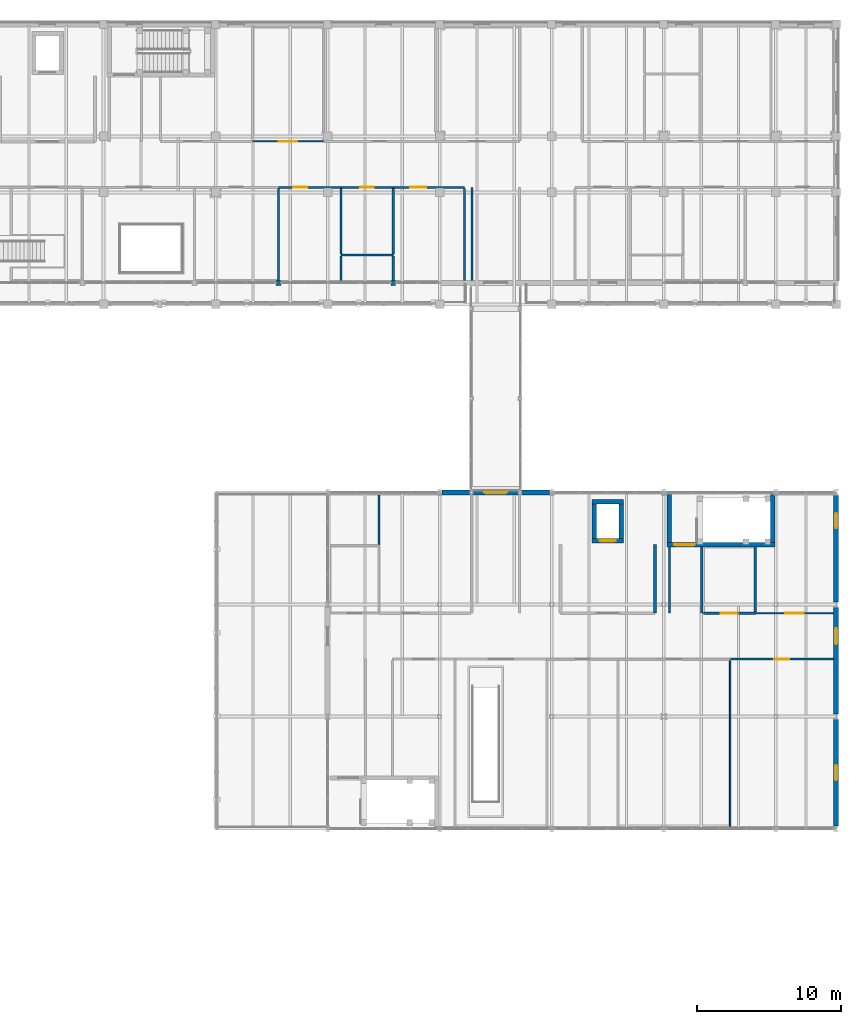
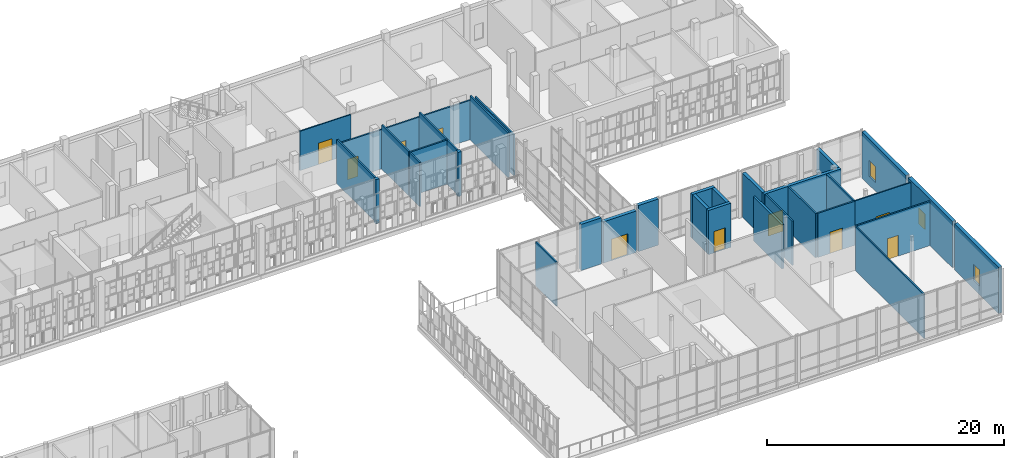
# One storey, part 112 of 138: 36 walls, 10 doors, 3 windows, 13 openings.
"""IFC4 building model written with IfcOpenShell, lengths in metres."""

from ifc_helpers import new_model, si_unit, direction, frame, frame_2d, origin, place, context, subcontext, project, spatial, rectangle, extrude, material, layer, layer_set, type_object, element, fill, save


model = new_model("IFC4")

# Units and contexts
model_context = context("Model", 3, precision=1e-05, world=origin(), true_north=direction((0.0, 1.0)))
body_context = subcontext(model_context, "Body", "Model", "MODEL_VIEW")
ifc_project = project(units=[si_unit("LENGTHUNIT", "METRE"), si_unit("AREAUNIT", "SQUARE_METRE"), si_unit("VOLUMEUNIT", "CUBIC_METRE"), si_unit("PLANEANGLEUNIT", "RADIAN"), si_unit("MASSUNIT", "GRAM", prefix="KILO")], contexts=[model_context])

# Site, building, storey
site_placement = place(None, origin())
site = spatial("IfcSite", under=ifc_project, at=site_placement, CompositionType="ELEMENT")
building_placement = place(site_placement, origin())
building = spatial("IfcBuilding", under=site, at=building_placement, Name="Celorna Specialist Clinic", CompositionType="ELEMENT")
storey_placement = place(building_placement, frame((0.0, 0.0, 4.800048828125)))
storey = spatial("IfcBuildingStorey", under=building, at=storey_placement, Name="L01", CompositionType="ELEMENT", Elevation=4.800048828125)

# Wall
ifc_material_1 = material(Name="Pero Pinheiro Lioz limestone insulated masonry", Category="masonry")
ifc_layer_1 = layer(ifc_material_1, 0.340087890625, Name="Pero Pinheiro Lioz limestone insulated masonry")
ifc_layer_set_1 = layer_set([ifc_layer_1], Name="Pero Pinheiro Lioz limestone insulated masonry")
wall_type_1 = type_object("IfcWallType", Name="WT-07", PredefinedType="STANDARD", material=ifc_layer_set_1)
wall_1_placement = place(storey_placement, frame((140.550048828125, 83.39990234375, 0.0), z_axis=(0.0, 0.0, 1.0), x_axis=(1.0, 0.0, 0.0)))
element("IfcWall", 1, at=wall_1_placement, inside=storey, type_object=wall_type_1, Name="External facade wall WT-07 #150", PredefinedType="STANDARD", context=body_context, shape_type="SweptSolid", body=[
    extrude(rectangle(XDim=1.949951171875, YDim=0.340087890625, at=frame_2d((0.97509765625, 0.0))), origin(), (0.0, 0.0, 1.0), 4.75),
])

# Wall, opening, door
wall_2_placement = place(storey_placement, frame((142.699951171875, 83.39990234375, 0.0), z_axis=(0.0, 0.0, 1.0), x_axis=(1.0, 0.0, 0.0)))
wall_2 = element("IfcWall", 2, at=wall_2_placement, inside=storey, type_object=wall_type_1, Name="External facade wall WT-07 #151", PredefinedType="STANDARD", context=body_context, shape_type="SweptSolid", body=[
    extrude(rectangle(XDim=3.199951171875, YDim=0.340087890625, at=frame_2d((1.60009765625, 0.0))), origin(), (0.0, 0.0, 1.0), 4.260009765625),
])
opening_1_placement = place(wall_2_placement, frame((0.800048828125, 0.0, 0.0)))
opening_1 = element("IfcOpeningElement", 3, at=opening_1_placement, cuts=wall_2, Name="Opening DR-12", PredefinedType="OPENING", context=body_context, shape_type="SweptSolid", body=[
    extrude(rectangle(XDim=1.60009765625, YDim=2.199951171875, at=frame_2d((0.800048828125, 1.10009765625))), frame((0.0, 0.179931640625, 0.0), z_axis=(0.0, -1.0, 0.0), x_axis=(1.0, 0.0, 0.0)), (0.0, 0.0, 1.0), 0.360107421875),
])
ifc_material_2 = material(Name="Corridor cross-compartment pair door")
door_type_1 = type_object("IfcDoorType", Name="DR-12", OperationType="DOUBLE_DOOR_SINGLE_SWING", PredefinedType="DOOR", material=ifc_material_2)
door_1_placement = place(opening_1_placement, origin())
door_1 = element("IfcDoor", 4, at=door_1_placement, inside=storey, type_object=door_type_1, Name="Bridge BR-05 south/west portal door L01", OperationType="DOUBLE_DOOR_SINGLE_SWING", OverallHeight=2.199951171875, OverallWidth=1.60009765625, PredefinedType="DOOR", context=body_context, shape_type="SweptSolid", body=[
    extrude(rectangle(XDim=1.60009765625, YDim=2.199951171875, at=frame_2d((0.800048828125, 1.10009765625))), frame((0.0, 0.02490234375, 0.0), z_axis=(0.0, -1.0, 0.0), x_axis=(1.0, 0.0, 0.0)), (0.0, 0.0, 1.0), 0.050048828125),
])
fill(opening_1, door_1)

# Wall
wall_3_placement = place(storey_placement, frame((146.10009765625, 83.39990234375, 0.0), z_axis=(0.0, 0.0, 1.0), x_axis=(1.0, 0.0, 0.0)))
element("IfcWall", 5, at=wall_3_placement, inside=storey, type_object=wall_type_1, Name="External facade wall WT-07 #152", PredefinedType="STANDARD", context=body_context, shape_type="SweptSolid", body=[
    extrude(rectangle(XDim=1.949951171875, YDim=0.340087890625, at=frame_2d((0.97509765625, 0.0))), origin(), (0.0, 0.0, 1.0), 4.75),
])

# Wall, opening, window
wall_4_placement = place(storey_placement, frame((168.0, 67.6201171875, 0.0), z_axis=(0.0, 0.0, 1.0), x_axis=(0.0, -1.0, 0.0)))
wall_4 = element("IfcWall", 6, at=wall_4_placement, inside=storey, type_object=wall_type_1, Name="External facade wall WT-07 #154", PredefinedType="STANDARD", context=body_context, shape_type="SweptSolid", body=[
    extrude(rectangle(XDim=7.440185546875, YDim=0.340087890625, at=frame_2d((3.72021484375, 0.0))), origin(), (0.0, 0.0, 1.0), 4.75),
])
opening_2_placement = place(wall_4_placement, frame((3.195068359375, 0.0, 0.89990234375)))
opening_2 = element("IfcOpeningElement", 7, at=opening_2_placement, cuts=wall_4, Name="Opening WN-21", PredefinedType="OPENING", context=body_context, shape_type="SweptSolid", body=[
    extrude(rectangle(XDim=1.050048828125, YDim=1.64990234375, at=frame_2d((0.52490234375, 0.824951171875))), frame((0.0, 0.179931640625, 0.0), z_axis=(0.0, -1.0, 0.0), x_axis=(1.0, 0.0, 0.0)), (0.0, 0.0, 1.0), 0.360107421875),
])
ifc_material_3 = material(Name="Thermally broken aluminium triple-glazed window", Category="aluminium")
window_type_1 = type_object("IfcWindowType", Name="WN-21", PartitioningType="SINGLE_PANEL", PredefinedType="WINDOW", material=ifc_material_3)
window_1_placement = place(opening_2_placement, origin())
window_1 = element("IfcWindow", 8, at=window_1_placement, inside=storey, type_object=window_type_1, Name="Facade window WN-21 #54", OverallHeight=1.64990234375, OverallWidth=1.050048828125, PartitioningType="SINGLE_PANEL", PredefinedType="WINDOW", context=body_context, shape_type="SweptSolid", body=[
    extrude(rectangle(XDim=1.050048828125, YDim=1.64990234375, at=frame_2d((0.52490234375, 0.824951171875))), frame((0.0, 0.030029296875, 0.0), z_axis=(0.0, -1.0, 0.0), x_axis=(1.0, 0.0, 0.0)), (0.0, 0.0, 1.0), 0.06005859375),
])
fill(opening_2, window_1)

wall_5_placement = place(storey_placement, frame((168.0, 75.419921875, 0.0), z_axis=(0.0, 0.0, 1.0), x_axis=(0.0, -1.0, 0.0)))
wall_5 = element("IfcWall", 9, at=wall_5_placement, inside=storey, type_object=wall_type_1, Name="External facade wall WT-07 #155", PredefinedType="STANDARD", context=body_context, shape_type="SweptSolid", body=[
    extrude(rectangle(XDim=7.43994140625, YDim=0.340087890625, at=frame_2d((3.719970703125, 0.0))), origin(), (0.0, 0.0, 1.0), 4.75),
])
opening_3_placement = place(wall_5_placement, frame((1.469970703125, 0.0, 0.89990234375)))
opening_3 = element("IfcOpeningElement", 10, at=opening_3_placement, cuts=wall_5, Name="Opening WN-03", PredefinedType="OPENING", context=body_context, shape_type="SweptSolid", body=[
    extrude(rectangle(XDim=1.10009765625, YDim=1.60009765625, at=frame_2d((0.550048828125, 0.800048828125))), frame((0.0, 0.179931640625, 0.0), z_axis=(0.0, -1.0, 0.0), x_axis=(1.0, 0.0, 0.0)), (0.0, 0.0, 1.0), 0.360107421875),
])
window_type_2 = type_object("IfcWindowType", Name="WN-03", PartitioningType="SINGLE_PANEL", PredefinedType="WINDOW", material=ifc_material_3)
window_2_placement = place(opening_3_placement, origin())
window_2 = element("IfcWindow", 11, at=window_2_placement, inside=storey, type_object=window_type_2, Name="Facade window WN-03 #55", OverallHeight=1.60009765625, OverallWidth=1.10009765625, PartitioningType="SINGLE_PANEL", PredefinedType="WINDOW", context=body_context, shape_type="SweptSolid", body=[
    extrude(rectangle(XDim=1.10009765625, YDim=1.60009765625, at=frame_2d((0.550048828125, 0.800048828125))), frame((0.0, 0.030029296875, 0.0), z_axis=(0.0, -1.0, 0.0), x_axis=(1.0, 0.0, 0.0)), (0.0, 0.0, 1.0), 0.06005859375),
])
fill(opening_3, window_2)

wall_6_placement = place(storey_placement, frame((168.0, 83.219970703125, 0.0), z_axis=(0.0, 0.0, 1.0), x_axis=(0.0, -1.0, 0.0)))
wall_6 = element("IfcWall", 12, at=wall_6_placement, inside=storey, type_object=wall_type_1, Name="External facade wall WT-07 #156", PredefinedType="STANDARD", context=body_context, shape_type="SweptSolid", body=[
    extrude(rectangle(XDim=7.43994140625, YDim=0.340087890625, at=frame_2d((3.719970703125, 0.0))), origin(), (0.0, 0.0, 1.0), 4.75),
])
opening_4_placement = place(wall_6_placement, frame((1.2451171875, 0.0, 0.89990234375)))
opening_4 = element("IfcOpeningElement", 13, at=opening_4_placement, cuts=wall_6, Name="Opening WN-21", PredefinedType="OPENING", context=body_context, shape_type="SweptSolid", body=[
    extrude(rectangle(XDim=1.050048828125, YDim=1.64990234375, at=frame_2d((0.52490234375, 0.824951171875))), frame((0.0, 0.179931640625, 0.0), z_axis=(0.0, -1.0, 0.0), x_axis=(1.0, 0.0, 0.0)), (0.0, 0.0, 1.0), 0.360107421875),
])
window_3_placement = place(opening_4_placement, origin())
window_3 = element("IfcWindow", 14, at=window_3_placement, inside=storey, type_object=window_type_1, Name="Facade window WN-21 #56", OverallHeight=1.64990234375, OverallWidth=1.050048828125, PartitioningType="SINGLE_PANEL", PredefinedType="WINDOW", context=body_context, shape_type="SweptSolid", body=[
    extrude(rectangle(XDim=1.050048828125, YDim=1.64990234375, at=frame_2d((0.52490234375, 0.824951171875))), frame((0.0, 0.030029296875, 0.0), z_axis=(0.0, -1.0, 0.0), x_axis=(1.0, 0.0, 0.0)), (0.0, 0.0, 1.0), 0.06005859375),
])
fill(opening_4, window_3)

# Walls
for number, where, z_axis, x_axis, name in (
    (15, (129.340087890625, 98.0, 0.0), (0.0, 0.0, 1.0), (-1.0, 0.0, 0.0), "External facade wall WT-07 #196"),
    (16, (137.340087890625, 98.0, 0.0), (0.0, 0.0, 1.0), (-1.0, 0.0, 0.0), "External facade wall WT-07 #197"),
):
    element("IfcWall", number, at=place(storey_placement, frame(where, z_axis=z_axis, x_axis=x_axis)), inside=storey, type_object=wall_type_1, Name=name, PredefinedType="STANDARD", context=body_context, shape_type="SweptSolid", body=[
        extrude(rectangle(XDim=0.340087890625, YDim=0.340087890625, at=frame_2d((0.169921875, 0.0))), origin(), (0.0, 0.0, 1.0), 4.5400390625),
    ])

# Wall, opening, door
ifc_material_4 = material(Name="Concrete C35/45", Category="concrete")
ifc_layer_2 = layer(ifc_material_4, 0.300048828125, Name="Concrete C35/45")
ifc_layer_set_2 = layer_set([ifc_layer_2], Name="Concrete C35/45")
wall_type_2 = type_object("IfcWallType", Name="WT-08", PredefinedType="SHEAR", material=ifc_layer_set_2)
wall_7_placement = place(storey_placement, frame((156.239990234375, 79.77001953125, 0.0), z_axis=(0.0, 0.0, 1.0), x_axis=(1.0, 0.0, 0.0)))
wall_7 = element("IfcWall", 17, at=wall_7_placement, inside=storey, type_object=wall_type_2, Name="Stair ST-12 RC core wall L01 south", PredefinedType="SHEAR", context=body_context, shape_type="SweptSolid", body=[
    extrude(rectangle(XDim=7.5, YDim=0.300048828125, at=frame_2d((3.75, 0.0))), origin(), (0.0, 0.0, 1.0), 4.5400390625),
])
opening_5_placement = place(wall_7_placement, frame((0.5, 0.0, 0.0)))
opening_5 = element("IfcOpeningElement", 18, at=opening_5_placement, cuts=wall_7, Name="Opening DR-10", PredefinedType="OPENING", context=body_context, shape_type="SweptSolid", body=[
    extrude(rectangle(XDim=1.39990234375, YDim=2.199951171875, at=frame_2d((0.699951171875, 1.10009765625))), frame((0.0, 0.159912109375, 0.0), z_axis=(0.0, -1.0, 0.0), x_axis=(1.0, 0.0, 0.0)), (0.0, 0.0, 1.0), 0.320068359375),
])
ifc_material_5 = material(Name="Protected exit stair fire door")
door_type_2 = type_object("IfcDoorType", Name="DR-10", OperationType="NOTDEFINED", PredefinedType="DOOR", material=ifc_material_5)
door_2_placement = place(opening_5_placement, origin())
door_2 = element("IfcDoor", 19, at=door_2_placement, inside=storey, type_object=door_type_2, Name="Protected exit stair door ST-12 L01", OperationType="SINGLE_SWING_LEFT", OverallHeight=2.199951171875, OverallWidth=1.39990234375, PredefinedType="DOOR", context=body_context, shape_type="SweptSolid", body=[
    extrude(rectangle(XDim=1.39990234375, YDim=2.199951171875, at=frame_2d((0.699951171875, 1.10009765625))), frame((0.0, 0.02490234375, 0.0), z_axis=(0.0, -1.0, 0.0), x_axis=(1.0, 0.0, 0.0)), (0.0, 0.0, 1.0), 0.050048828125),
])
fill(opening_5, door_2)

# Walls
for number, where, z_axis, x_axis, name in (
    (20, (156.389892578125, 83.25, 0.0), (0.0, 0.0, 1.0), (0.0, -1.0, 0.0), "Stair ST-12 RC core wall L01 west"),
    (21, (163.590087890625, 79.919921875, 0.0), (0.0, 0.0, 1.0), (0.0, 1.0, 0.0), "Stair ST-12 RC core wall L01 east"),
):
    element("IfcWall", number, at=place(storey_placement, frame(where, z_axis=z_axis, x_axis=x_axis)), inside=storey, type_object=wall_type_2, Name=name, PredefinedType="SHEAR", context=body_context, shape_type="SweptSolid", body=[
        extrude(rectangle(XDim=3.330078125, YDim=0.300048828125, at=frame_2d((1.6650390625, 0.0))), origin(), (0.0, 0.0, 1.0), 4.5400390625),
    ])

# Wall, opening, door
wall_8_placement = place(storey_placement, frame((151.0, 80.050048828125, 0.0), z_axis=(0.0, 0.0, 1.0), x_axis=(1.0, 0.0, 0.0)))
wall_8 = element("IfcWall", 22, at=wall_8_placement, inside=storey, type_object=wall_type_2, Name="Lift LF-09 RC shaft wall L01", PredefinedType="SHEAR", context=body_context, shape_type="SweptSolid", body=[
    extrude(rectangle(XDim=2.199951171875, YDim=0.300048828125, at=frame_2d((1.10009765625, 0.0))), origin(), (0.0, 0.0, 1.0), 4.5400390625),
])
opening_6_placement = place(wall_8_placement, frame((0.550048828125, 0.0, 0.0)))
opening_6 = element("IfcOpeningElement", 23, at=opening_6_placement, cuts=wall_8, Name="Opening LD-01", PredefinedType="OPENING", context=body_context, shape_type="SweptSolid", body=[
    extrude(rectangle(XDim=1.10009765625, YDim=2.199951171875, at=frame_2d((0.550048828125, 1.10009765625))), frame((0.0, 0.159912109375, 0.0), z_axis=(0.0, -1.0, 0.0), x_axis=(1.0, 0.0, 0.0)), (0.0, 0.0, 1.0), 0.320068359375),
])
ifc_material_6 = material(Name="Stainless steel lift landing sliding door", Category="steel")
door_type_3 = type_object("IfcDoorType", Name="LD-01", OperationType="DOUBLE_DOOR_SLIDING", PredefinedType="DOOR", material=ifc_material_6)
door_3_placement = place(opening_6_placement, origin())
door_3 = element("IfcDoor", 24, at=door_3_placement, inside=storey, type_object=door_type_3, Name="Lift LF-09 sliding landing door L01", OperationType="DOUBLE_DOOR_SLIDING", OverallHeight=2.199951171875, OverallWidth=1.10009765625, PredefinedType="DOOR", context=body_context, shape_type="SweptSolid", body=[
    extrude(rectangle(XDim=1.10009765625, YDim=2.199951171875, at=frame_2d((0.550048828125, 1.10009765625))), frame((0.0, 0.02490234375, 0.0), z_axis=(0.0, -1.0, 0.0), x_axis=(1.0, 0.0, 0.0)), (0.0, 0.0, 1.0), 0.050048828125),
])
fill(opening_6, door_3)

# Walls
wall_9_placement = place(storey_placement, frame((153.199951171875, 82.75, 0.0), z_axis=(0.0, 0.0, 1.0), x_axis=(-1.0, 0.0, 0.0)))
element("IfcWall", 25, at=wall_9_placement, inside=storey, type_object=wall_type_2, Name="Lift LF-09 RC shaft wall L01", PredefinedType="SHEAR", context=body_context, shape_type="SweptSolid", body=[
    extrude(rectangle(XDim=2.199951171875, YDim=0.300048828125, at=frame_2d((1.10009765625, 0.0))), origin(), (0.0, 0.0, 1.0), 4.5400390625),
])
for number, where, z_axis, x_axis, name in (
    (26, (151.14990234375, 82.60009765625, 0.0), (0.0, 0.0, 1.0), (0.0, -1.0, 0.0), "Lift LF-09 RC shaft wall L01"),
    (27, (153.050048828125, 80.199951171875, 0.0), (0.0, 0.0, 1.0), (0.0, 1.0, 0.0), "Lift LF-09 RC shaft wall L01"),
):
    element("IfcWall", number, at=place(storey_placement, frame(where, z_axis=z_axis, x_axis=x_axis)), inside=storey, type_object=wall_type_2, Name=name, PredefinedType="SHEAR", context=body_context, shape_type="SweptSolid", body=[
        extrude(rectangle(XDim=2.400146484375, YDim=0.300048828125, at=frame_2d((1.2001953125, 0.0))), origin(), (0.0, 0.0, 1.0), 4.5400390625),
    ])
ifc_layer_3 = layer(ifc_material_4, 0.199951171875, Name="Concrete C35/45")
ifc_layer_set_3 = layer_set([ifc_layer_3], Name="Concrete C35/45")
wall_type_3 = type_object("IfcWallType", Name="WT-12", PredefinedType="SOLIDWALL", material=ifc_layer_set_3)
wall_10_placement = place(storey_placement, frame((155.39990234375, 75.0, 0.0), z_axis=(0.0, 0.0, 1.0), x_axis=(0.0, 1.0, 0.0)))
element("IfcWall", 28, at=wall_10_placement, inside=storey, type_object=wall_type_3, Name="Lift lobby wall LF-09 L01", PredefinedType="SOLIDWALL", context=body_context, shape_type="SweptSolid", body=[
    extrude(rectangle(XDim=4.800048828125, YDim=0.199951171875, at=frame_2d((2.39990234375, 0.0))), origin(), (0.0, 0.0, 1.0), 4.5400390625),
])
ifc_material_7 = material(Name="Fire-rated gypsum board partition")
ifc_layer_4 = layer(ifc_material_7, 0.14990234375, Name="Fire-rated gypsum board partition")
ifc_layer_set_4 = layer_set([ifc_layer_4], Name="Fire-rated gypsum board partition")
wall_type_4 = type_object("IfcWallType", Name="WT-14", PredefinedType="PARTITIONING", material=ifc_layer_set_4)
for number, where, z_axis, x_axis, name in (
    (29, (156.389892578125, 75.0, 0.0), (0.0, 0.0, 1.0), (0.0, 1.0, 0.0), "Corridor spur partition WT-14"),
    (30, (158.639892578125, 75.0, 0.0), (0.0, 0.0, 1.0), (0.0, 1.0, 0.0), "Corridor spur partition WT-14"),
):
    element("IfcWall", number, at=place(storey_placement, frame(where, z_axis=z_axis, x_axis=x_axis)), inside=storey, type_object=wall_type_4, Name=name, PredefinedType="PARTITIONING", context=body_context, shape_type="SweptSolid", body=[
        extrude(rectangle(XDim=4.6201171875, YDim=0.14990234375, at=frame_2d((2.31005859375, 0.0))), origin(), (0.0, 0.0, 1.0), 4.5400390625),
    ])
wall_11_placement = place(storey_placement, frame((142.64990234375, 98.169921875, 0.0), z_axis=(0.0, 0.0, 1.0), x_axis=(0.0, 1.0, 0.0)))
element("IfcWall", 31, at=wall_11_placement, inside=storey, type_object=wall_type_4, Name="Corridor spur partition WT-14", PredefinedType="PARTITIONING", context=body_context, shape_type="SweptSolid", body=[
    extrude(rectangle(XDim=6.47998046875, YDim=0.14990234375, at=frame_2d((3.239990234375, 0.0))), origin(), (0.0, 0.0, 1.0), 4.2099609375),
])

# Wall, opening, door
wall_12_placement = place(storey_placement, frame((167.830078125, 71.800048828125, 0.0), z_axis=(0.0, 0.0, 1.0), x_axis=(-1.0, 0.0, 0.0)))
wall_12 = element("IfcWall", 32, at=wall_12_placement, inside=storey, type_object=wall_type_4, Name="Interior partition WT-14 L01-043", PredefinedType="PARTITIONING", context=body_context, shape_type="SweptSolid", body=[
    extrude(rectangle(XDim=7.2099609375, YDim=0.14990234375, at=frame_2d((3.60498046875, 0.0))), origin(), (0.0, 0.0, 1.0), 4.5400390625),
])
opening_7_placement = place(wall_12_placement, frame((3.080078125, 0.0, 0.0)))
opening_7 = element("IfcOpeningElement", 33, at=opening_7_placement, cuts=wall_12, Name="Opening DR-05", PredefinedType="OPENING", context=body_context, shape_type="SweptSolid", body=[
    extrude(rectangle(XDim=1.050048828125, YDim=2.14990234375, at=frame_2d((0.52490234375, 1.074951171875))), frame((0.0, 0.0849609375, 0.0), z_axis=(0.0, -1.0, 0.0), x_axis=(1.0, 0.0, 0.0)), (0.0, 0.0, 1.0), 0.169921875),
])
ifc_material_8 = material(Name="Timber examination room door", Category="wood")
door_type_4 = type_object("IfcDoorType", Name="DR-05", OperationType="NOTDEFINED", PredefinedType="DOOR", material=ifc_material_8)
door_4_placement = place(opening_7_placement, origin())
door_4 = element("IfcDoor", 34, at=door_4_placement, inside=storey, type_object=door_type_4, Name="Occupational Therapy Studio door L01-043", OperationType="SINGLE_SWING_RIGHT", OverallHeight=2.14990234375, OverallWidth=1.050048828125, PredefinedType="DOOR", context=body_context, shape_type="SweptSolid", body=[
    extrude(rectangle(XDim=1.050048828125, YDim=2.14990234375, at=frame_2d((0.52490234375, 1.074951171875))), frame((0.0, 0.02490234375, 0.0), z_axis=(0.0, -1.0, 0.0), x_axis=(1.0, 0.0, 0.0)), (0.0, 0.0, 1.0), 0.050048828125),
])
fill(opening_7, door_4)

wall_13_placement = place(storey_placement, frame((158.760009765625, 75.0, 0.0), z_axis=(0.0, 0.0, 1.0), x_axis=(1.0, 0.0, 0.0)))
wall_13 = element("IfcWall", 35, at=wall_13_placement, inside=storey, type_object=wall_type_4, Name="Interior partition WT-14 L01-046", PredefinedType="PARTITIONING", context=body_context, shape_type="SweptSolid", body=[
    extrude(rectangle(XDim=3.610107421875, YDim=0.14990234375, at=frame_2d((1.80517578125, 0.0))), origin(), (0.0, 0.0, 1.0), 4.5400390625),
])
opening_8_placement = place(wall_13_placement, frame((1.205078125, 0.0, 0.0)))
opening_8 = element("IfcOpeningElement", 36, at=opening_8_placement, cuts=wall_13, Name="Opening DR-08", PredefinedType="OPENING", context=body_context, shape_type="SweptSolid", body=[
    extrude(rectangle(XDim=1.199951171875, YDim=2.199951171875, at=frame_2d((0.60009765625, 1.10009765625))), frame((0.0, 0.0849609375, 0.0), z_axis=(0.0, -1.0, 0.0), x_axis=(1.0, 0.0, 0.0)), (0.0, 0.0, 1.0), 0.169921875),
])
ifc_material_9 = material(Name="Stretcher-width clinical door")
door_type_5 = type_object("IfcDoorType", Name="DR-08", OperationType="NOTDEFINED", PredefinedType="DOOR", material=ifc_material_9)
door_5_placement = place(opening_8_placement, origin())
door_5 = element("IfcDoor", 37, at=door_5_placement, inside=storey, type_object=door_type_5, Name="Physiotherapy Treatment Room door L01-046", OperationType="SINGLE_SWING_LEFT", OverallHeight=2.199951171875, OverallWidth=1.199951171875, PredefinedType="DOOR", context=body_context, shape_type="SweptSolid", body=[
    extrude(rectangle(XDim=1.199951171875, YDim=2.199951171875, at=frame_2d((0.60009765625, 1.10009765625))), frame((0.0, 0.02490234375, 0.0), z_axis=(0.0, -1.0, 0.0), x_axis=(1.0, 0.0, 0.0)), (0.0, 0.0, 1.0), 0.050048828125),
])
fill(opening_8, door_5)

wall_14_placement = place(storey_placement, frame((133.52001953125, 104.64990234375, 0.0), z_axis=(0.0, 0.0, 1.0), x_axis=(-1.0, 0.0, 0.0)))
wall_14 = element("IfcWall", 38, at=wall_14_placement, inside=storey, type_object=wall_type_4, Name="Interior partition WT-14 L01-067", PredefinedType="PARTITIONING", context=body_context, shape_type="SweptSolid", body=[
    extrude(rectangle(XDim=4.35009765625, YDim=0.14990234375, at=frame_2d((2.175048828125, 0.0))), origin(), (0.0, 0.0, 1.0), 4.0400390625),
])
opening_9_placement = place(wall_14_placement, frame((2.327392578125, 0.0, 0.0)))
opening_9 = element("IfcOpeningElement", 39, at=opening_9_placement, cuts=wall_14, Name="Opening DR-04", PredefinedType="OPENING", context=body_context, shape_type="SweptSolid", body=[
    extrude(rectangle(XDim=1.0, YDim=2.10009765625, at=frame_2d((0.5, 1.050048828125))), frame((0.0, 0.0849609375, 0.0), z_axis=(0.0, -1.0, 0.0), x_axis=(1.0, 0.0, 0.0)), (0.0, 0.0, 1.0), 0.169921875),
])
ifc_material_10 = material(Name="Timber consultation suite door", Category="wood")
door_type_6 = type_object("IfcDoorType", Name="DR-04", OperationType="NOTDEFINED", PredefinedType="DOOR", material=ifc_material_10)
door_6_placement = place(opening_9_placement, origin())
door_6 = element("IfcDoor", 40, at=door_6_placement, inside=storey, type_object=door_type_6, Name="Outpatient Diagnostic Clinic door L01-067", OperationType="SINGLE_SWING_LEFT", OverallHeight=2.10009765625, OverallWidth=1.0, PredefinedType="DOOR", context=body_context, shape_type="SweptSolid", body=[
    extrude(rectangle(XDim=1.0, YDim=2.10009765625, at=frame_2d((0.5, 1.050048828125))), frame((0.0, 0.02490234375, 0.0), z_axis=(0.0, -1.0, 0.0), x_axis=(1.0, 0.0, 0.0)), (0.0, 0.0, 1.0), 0.050048828125),
])
fill(opening_9, door_6)

wall_15_placement = place(storey_placement, frame((137.169921875, 104.64990234375, 0.0), z_axis=(0.0, 0.0, 1.0), x_axis=(-1.0, 0.0, 0.0)))
wall_15 = element("IfcWall", 41, at=wall_15_placement, inside=storey, type_object=wall_type_4, Name="Interior partition WT-14 L01-068", PredefinedType="PARTITIONING", context=body_context, shape_type="SweptSolid", body=[
    extrude(rectangle(XDim=3.64990234375, YDim=0.14990234375, at=frame_2d((1.824951171875, 0.0))), origin(), (0.0, 0.0, 1.0), 4.0400390625),
])
opening_10_placement = place(wall_15_placement, frame((1.35009765625, 0.0, 0.0)))
opening_10 = element("IfcOpeningElement", 42, at=opening_10_placement, cuts=wall_15, Name="Opening DR-03", PredefinedType="OPENING", context=body_context, shape_type="SweptSolid", body=[
    extrude(rectangle(XDim=0.949951171875, YDim=2.10009765625, at=frame_2d((0.47509765625, 1.050048828125))), frame((0.0, 0.0849609375, 0.0), z_axis=(0.0, -1.0, 0.0), x_axis=(1.0, 0.0, 0.0)), (0.0, 0.0, 1.0), 0.169921875),
])
ifc_material_11 = material(Name="Moisture-resistant accessible WC door")
door_type_7 = type_object("IfcDoorType", Name="DR-03", OperationType="NOTDEFINED", PredefinedType="DOOR", material=ifc_material_11)
door_7_placement = place(opening_10_placement, origin())
door_7 = element("IfcDoor", 43, at=door_7_placement, inside=storey, type_object=door_type_7, Name="Accessible WC door L01-068", OperationType="SINGLE_SWING_RIGHT", OverallHeight=2.10009765625, OverallWidth=0.949951171875, PredefinedType="DOOR", context=body_context, shape_type="SweptSolid", body=[
    extrude(rectangle(XDim=0.949951171875, YDim=2.10009765625, at=frame_2d((0.47509765625, 1.050048828125))), frame((0.0, 0.02490234375, 0.0), z_axis=(0.0, -1.0, 0.0), x_axis=(1.0, 0.0, 0.0)), (0.0, 0.0, 1.0), 0.050048828125),
])
fill(opening_10, door_7)

# Wall
wall_16_placement = place(storey_placement, frame((133.52001953125, 99.949951171875, 0.0), z_axis=(0.0, 0.0, 1.0), x_axis=(1.0, 0.0, 0.0)))
element("IfcWall", 44, at=wall_16_placement, inside=storey, type_object=wall_type_4, Name="Sanitary suite rear partition L01-068", PredefinedType="PARTITIONING", context=body_context, shape_type="SweptSolid", body=[
    extrude(rectangle(XDim=3.64990234375, YDim=0.14990234375, at=frame_2d((1.824951171875, 0.0))), origin(), (0.0, 0.0, 1.0), 4.5400390625),
])

# Wall, opening, door
wall_17_placement = place(storey_placement, frame((142.1201171875, 104.64990234375, 0.0), z_axis=(0.0, 0.0, 1.0), x_axis=(-1.0, 0.0, 0.0)))
wall_17 = element("IfcWall", 45, at=wall_17_placement, inside=storey, type_object=wall_type_4, Name="Interior partition WT-14 L01-069", PredefinedType="PARTITIONING", context=body_context, shape_type="SweptSolid", body=[
    extrude(rectangle(XDim=4.9501953125, YDim=0.14990234375, at=frame_2d((2.47509765625, 0.0))), origin(), (0.0, 0.0, 1.0), 4.0400390625),
])
opening_11_placement = place(wall_17_placement, frame((2.66748046875, 0.0, 0.0)))
opening_11 = element("IfcOpeningElement", 46, at=opening_11_placement, cuts=wall_17, Name="Opening DR-06", PredefinedType="OPENING", context=body_context, shape_type="SweptSolid", body=[
    extrude(rectangle(XDim=1.10009765625, YDim=2.14990234375, at=frame_2d((0.550048828125, 1.074951171875))), frame((0.0, 0.0849609375, 0.0), z_axis=(0.0, -1.0, 0.0), x_axis=(1.0, 0.0, 0.0)), (0.0, 0.0, 1.0), 0.169921875),
])
ifc_material_12 = material(Name="Clinical treatment suite door")
door_type_8 = type_object("IfcDoorType", Name="DR-06", OperationType="NOTDEFINED", PredefinedType="DOOR", material=ifc_material_12)
door_8_placement = place(opening_11_placement, origin())
door_8 = element("IfcDoor", 47, at=door_8_placement, inside=storey, type_object=door_type_8, Name="Outpatient Diagnostic Clinic door L01-069", OperationType="SINGLE_SWING_LEFT", OverallHeight=2.14990234375, OverallWidth=1.10009765625, PredefinedType="DOOR", context=body_context, shape_type="SweptSolid", body=[
    extrude(rectangle(XDim=1.10009765625, YDim=2.14990234375, at=frame_2d((0.550048828125, 1.074951171875))), frame((0.0, 0.02490234375, 0.0), z_axis=(0.0, -1.0, 0.0), x_axis=(1.0, 0.0, 0.0)), (0.0, 0.0, 1.0), 0.050048828125),
])
fill(opening_11, door_8)

# Walls
wall_18_placement = place(storey_placement, frame((136.169921875, 79.75, 0.0), z_axis=(0.0, 0.0, 1.0), x_axis=(0.0, 1.0, 0.0)))
element("IfcWall", 48, at=wall_18_placement, inside=storey, type_object=wall_type_4, Name="Room dividing partition WT-14 L01-045", PredefinedType="PARTITIONING", context=body_context, shape_type="SweptSolid", body=[
    extrude(rectangle(XDim=3.47998046875, YDim=0.14990234375, at=frame_2d((1.739990234375, 0.0))), origin(), (0.0, 0.0, 1.0), 4.5400390625),
])
wall_19_placement = place(storey_placement, frame((162.3701171875, 75.074951171875, 0.0), z_axis=(0.0, 0.0, 1.0), x_axis=(0.0, 1.0, 0.0)))
element("IfcWall", 49, at=wall_19_placement, inside=storey, type_object=wall_type_4, Name="Room dividing partition WT-14 L01-046", PredefinedType="PARTITIONING", context=body_context, shape_type="SweptSolid", body=[
    extrude(rectangle(XDim=4.545166015625, YDim=0.14990234375, at=frame_2d((2.2724609375, 0.0))), origin(), (0.0, 0.0, 1.0), 4.5400390625),
])
wall_20_placement = place(storey_placement, frame((129.169921875, 98.169921875, 0.0), z_axis=(0.0, 0.0, 1.0), x_axis=(0.0, 1.0, 0.0)))
element("IfcWall", 50, at=wall_20_placement, inside=storey, type_object=wall_type_4, Name="Room dividing partition WT-14 L01-066", PredefinedType="PARTITIONING", context=body_context, shape_type="SweptSolid", body=[
    extrude(rectangle(XDim=6.405029296875, YDim=0.14990234375, at=frame_2d((3.20263671875, 0.0))), origin(), (0.0, 0.0, 1.0), 4.5400390625),
])
wall_21_placement = place(storey_placement, frame((133.52001953125, 98.169921875, 0.0), z_axis=(0.0, 0.0, 1.0), x_axis=(0.0, 1.0, 0.0)))
element("IfcWall", 51, at=wall_21_placement, inside=storey, type_object=wall_type_4, Name="Room dividing partition WT-14 L01-067", PredefinedType="PARTITIONING", context=body_context, shape_type="SweptSolid", body=[
    extrude(rectangle(XDim=1.705078125, YDim=0.14990234375, at=frame_2d((0.8525390625, 0.0))), origin(), (0.0, 0.0, 1.0), 4.5400390625),
])
for number, where, z_axis, x_axis, name in (
    (52, (133.52001953125, 100.02490234375, 0.0), (0.0, 0.0, 1.0), (0.0, 1.0, 0.0), "Room dividing partition WT-14 L01-067"),
    (53, (137.169921875, 100.02490234375, 0.0), (0.0, 0.0, 1.0), (0.0, 1.0, 0.0), "Room dividing partition WT-14 L01-068"),
):
    element("IfcWall", number, at=place(storey_placement, frame(where, z_axis=z_axis, x_axis=x_axis)), inside=storey, type_object=wall_type_4, Name=name, PredefinedType="PARTITIONING", context=body_context, shape_type="SweptSolid", body=[
        extrude(rectangle(XDim=4.550048828125, YDim=0.14990234375, at=frame_2d((2.27490234375, 0.0))), origin(), (0.0, 0.0, 1.0), 4.5400390625),
    ])
wall_22_placement = place(storey_placement, frame((137.169921875, 98.169921875, 0.0), z_axis=(0.0, 0.0, 1.0), x_axis=(0.0, 1.0, 0.0)))
element("IfcWall", 54, at=wall_22_placement, inside=storey, type_object=wall_type_4, Name="Room dividing partition WT-14 L01-069", PredefinedType="PARTITIONING", context=body_context, shape_type="SweptSolid", body=[
    extrude(rectangle(XDim=1.705078125, YDim=0.14990234375, at=frame_2d((0.8525390625, 0.0))), origin(), (0.0, 0.0, 1.0), 4.5400390625),
])
wall_23_placement = place(storey_placement, frame((142.1201171875, 98.169921875, 0.0), z_axis=(0.0, 0.0, 1.0), x_axis=(0.0, 1.0, 0.0)))
element("IfcWall", 55, at=wall_23_placement, inside=storey, type_object=wall_type_4, Name="Room dividing partition WT-14 L01-069", PredefinedType="PARTITIONING", context=body_context, shape_type="SweptSolid", body=[
    extrude(rectangle(XDim=6.405029296875, YDim=0.14990234375, at=frame_2d((3.20263671875, 0.0))), origin(), (0.0, 0.0, 1.0), 4.5400390625),
])

# Wall, opening, door
ifc_material_13 = material(Name="Acoustic gypsum board partition")
ifc_layer_5 = layer(ifc_material_13, 0.1201171875, Name="Acoustic gypsum board partition")
ifc_layer_set_5 = layer_set([ifc_layer_5], Name="Acoustic gypsum board partition")
wall_type_5 = type_object("IfcWallType", Name="WT-15", PredefinedType="PARTITIONING", material=ifc_layer_set_5)
wall_24_placement = place(storey_placement, frame((162.3701171875, 75.0, 0.0), z_axis=(0.0, 0.0, 1.0), x_axis=(1.0, 0.0, 0.0)))
wall_24 = element("IfcWall", 56, at=wall_24_placement, inside=storey, type_object=wall_type_5, Name="Interior partition WT-15 L01-047", PredefinedType="PARTITIONING", context=body_context, shape_type="SweptSolid", body=[
    extrude(rectangle(XDim=5.4599609375, YDim=0.1201171875, at=frame_2d((2.72998046875, 0.0))), origin(), (0.0, 0.0, 1.0), 4.5400390625),
])
opening_12_placement = place(wall_24_placement, frame((2.080078125, 0.0, 0.0)))
opening_12 = element("IfcOpeningElement", 57, at=opening_12_placement, cuts=wall_24, Name="Opening DR-09", PredefinedType="OPENING", context=body_context, shape_type="SweptSolid", body=[
    extrude(rectangle(XDim=1.300048828125, YDim=2.199951171875, at=frame_2d((0.64990234375, 1.10009765625))), frame((0.0, 0.070068359375, 0.0), z_axis=(0.0, -1.0, 0.0), x_axis=(1.0, 0.0, 0.0)), (0.0, 0.0, 1.0), 0.14013671875),
])
ifc_material_14 = material(Name="Lead-lined radiology room door")
door_type_9 = type_object("IfcDoorType", Name="DR-09", OperationType="NOTDEFINED", PredefinedType="DOOR", material=ifc_material_14)
door_9_placement = place(opening_12_placement, origin())
door_9 = element("IfcDoor", 58, at=door_9_placement, inside=storey, type_object=door_type_9, Name="Hand and Upper-Limb Therapy Room door L01-047", OperationType="SINGLE_SWING_RIGHT", OverallHeight=2.199951171875, OverallWidth=1.300048828125, PredefinedType="DOOR", context=body_context, shape_type="SweptSolid", body=[
    extrude(rectangle(XDim=1.300048828125, YDim=2.199951171875, at=frame_2d((0.64990234375, 1.10009765625))), frame((0.0, 0.02490234375, 0.0), z_axis=(0.0, -1.0, 0.0), x_axis=(1.0, 0.0, 0.0)), (0.0, 0.0, 1.0), 0.050048828125),
])
fill(opening_12, door_9)

wall_25_placement = place(storey_placement, frame((127.3701171875, 107.85009765625, 0.0), z_axis=(0.0, 0.0, 1.0), x_axis=(1.0, 0.0, 0.0)))
wall_25 = element("IfcWall", 59, at=wall_25_placement, inside=storey, type_object=wall_type_5, Name="Interior partition WT-15 L01-084", PredefinedType="PARTITIONING", context=body_context, shape_type="SweptSolid", body=[
    extrude(rectangle(XDim=4.949951171875, YDim=0.1201171875, at=frame_2d((2.47509765625, 0.0))), origin(), (0.0, 0.0, 1.0), 4.0400390625),
])
opening_13_placement = place(wall_25_placement, frame((1.824951171875, 0.0, 0.0)))
opening_13 = element("IfcOpeningElement", 60, at=opening_13_placement, cuts=wall_25, Name="Opening DR-09", PredefinedType="OPENING", context=body_context, shape_type="SweptSolid", body=[
    extrude(rectangle(XDim=1.300048828125, YDim=2.199951171875, at=frame_2d((0.64990234375, 1.10009765625))), frame((0.0, 0.070068359375, 0.0), z_axis=(0.0, -1.0, 0.0), x_axis=(1.0, 0.0, 0.0)), (0.0, 0.0, 1.0), 0.14013671875),
])
door_10_placement = place(opening_13_placement, origin())
door_10 = element("IfcDoor", 61, at=door_10_placement, inside=storey, type_object=door_type_9, Name="Audiology and ENT Examination Room door L01-084", OperationType="SINGLE_SWING_RIGHT", OverallHeight=2.199951171875, OverallWidth=1.300048828125, PredefinedType="DOOR", context=body_context, shape_type="SweptSolid", body=[
    extrude(rectangle(XDim=1.300048828125, YDim=2.199951171875, at=frame_2d((0.64990234375, 1.10009765625))), frame((0.0, 0.02490234375, 0.0), z_axis=(0.0, -1.0, 0.0), x_axis=(1.0, 0.0, 0.0)), (0.0, 0.0, 1.0), 0.050048828125),
])
fill(opening_13, door_10)

# Wall
wall_26_placement = place(storey_placement, frame((160.6201171875, 60.169921875, 0.0), z_axis=(0.0, 0.0, 1.0), x_axis=(0.0, 1.0, 0.0)))
element("IfcWall", 62, at=wall_26_placement, inside=storey, type_object=wall_type_5, Name="Room dividing partition WT-15 L01-042", PredefinedType="PARTITIONING", context=body_context, shape_type="SweptSolid", body=[
    extrude(rectangle(XDim=11.55517578125, YDim=0.1201171875, at=frame_2d((5.777587890625, 0.0))), origin(), (0.0, 0.0, 1.0), 4.5400390625),
])

save(model, "model.ifc")
